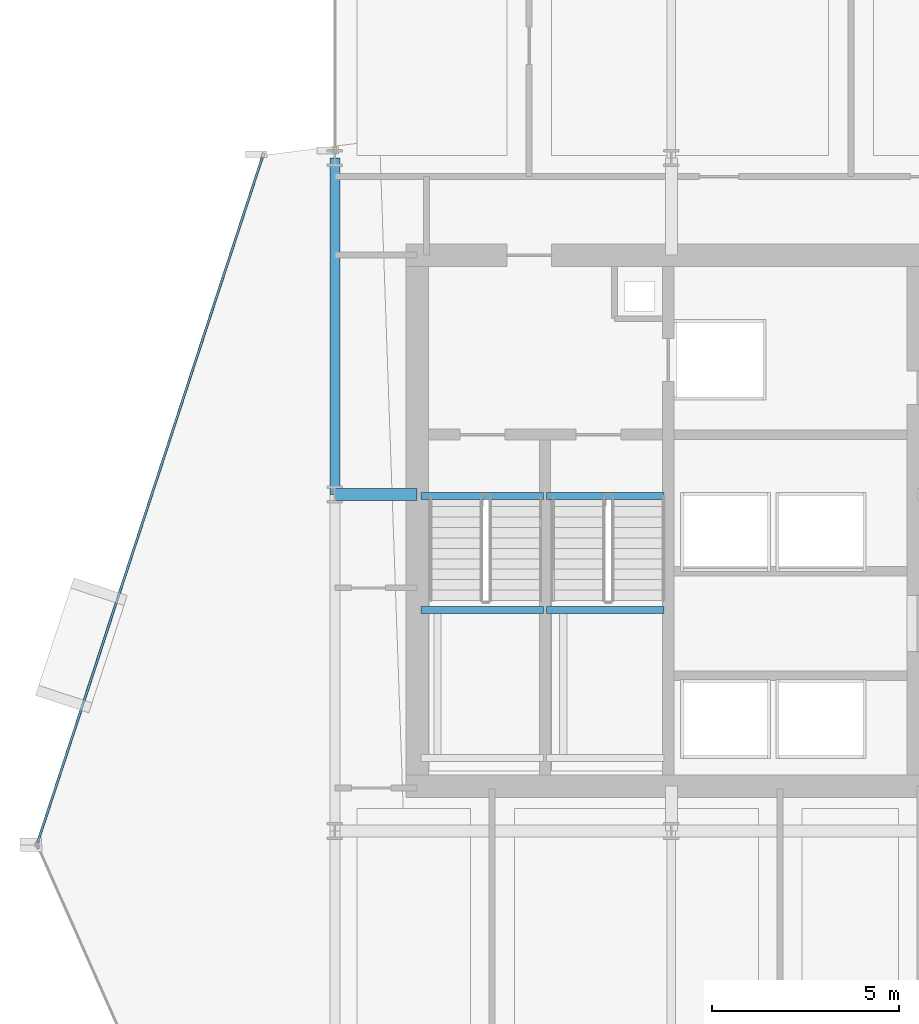
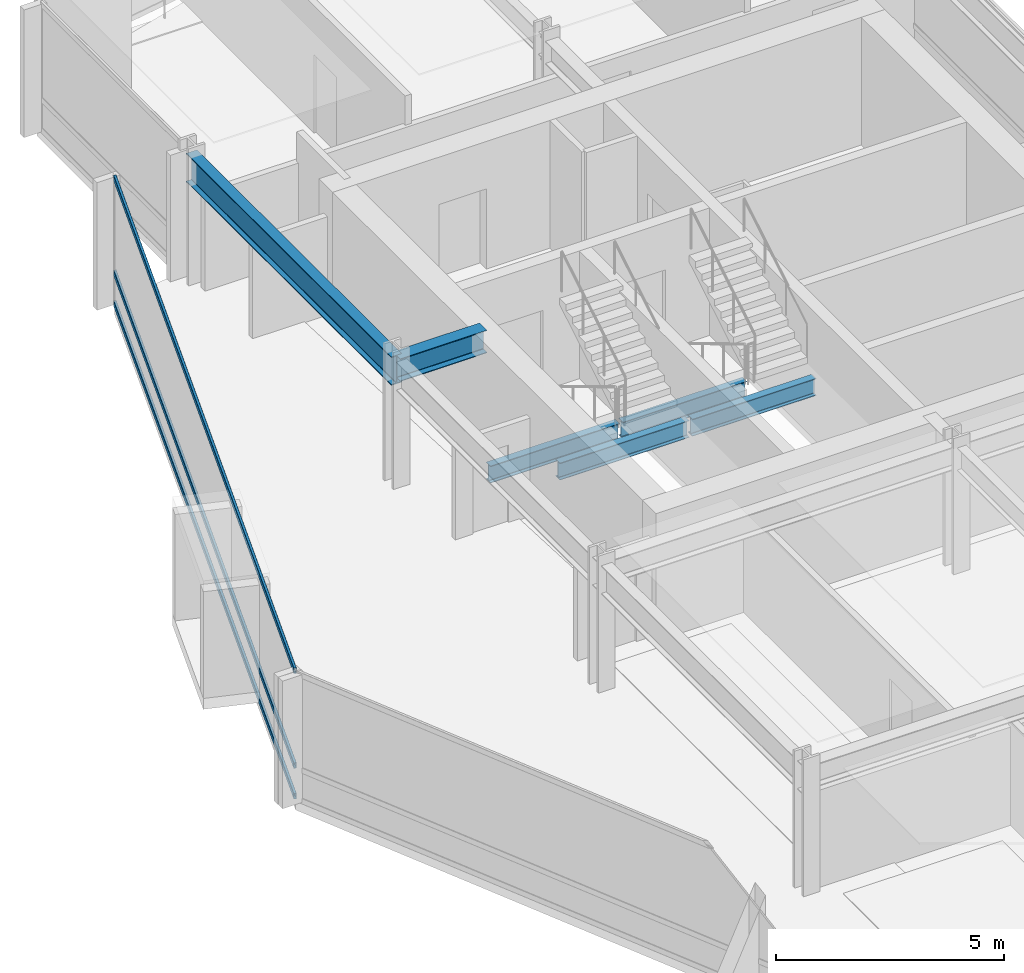
# One storey, part 15 of 29: 6 beams, 3 members, 1 element without a shape of its own.
"""IFC4 building model written with IfcOpenShell, lengths in metres."""

from ifc_helpers import new_model, si_unit, direction, frame, origin, origin_2d, place, context, subcontext, project, spatial, hollow_rectangle, i_section, extrude, material, layer, layer_set, material_profile, profile_set, type_object, element, aggregate, save


model = new_model("IFC4")

# Units and contexts
model_context = context("Model", 3, precision=1e-05, world=origin(), true_north=direction((0.0, 1.0)))
body_context = subcontext(model_context, "Body", "Model", "MODEL_VIEW")
ifc_project = project(units=[si_unit("LENGTHUNIT", "METRE"), si_unit("AREAUNIT", "SQUARE_METRE"), si_unit("VOLUMEUNIT", "CUBIC_METRE"), si_unit("PLANEANGLEUNIT", "RADIAN"), si_unit("MASSUNIT", "GRAM", prefix="KILO")], contexts=[model_context])

# Site, building, storey
site_placement = place(None, origin())
site = spatial("IfcSite", under=ifc_project, at=site_placement, CompositionType="ELEMENT")
building_placement = place(site_placement, origin())
building = spatial("IfcBuilding", under=site, at=building_placement, Name="Solvaryn Broadcast Tower", CompositionType="ELEMENT")
storey_placement = place(building_placement, frame((0.0, 0.0, 117.39990234375)))
storey = spatial("IfcBuildingStorey", under=building, at=storey_placement, Name="L28", CompositionType="ELEMENT", Elevation=117.39990234375)

# Beams
ifc_material_1 = material(Name="Steel ASTM A992 Grade 50", Category="steel")
ifc_material_profile_1 = material_profile(ifc_material_1, i_section(OverallWidth=0.323974609375, OverallDepth=0.611083984375, WebThickness=0.0126953125, FlangeThickness=0.01904296875, FilletRadius=0.014892578125, at=origin_2d()))
ifc_profile_set_1 = profile_set([ifc_material_profile_1], Name="Steel ASTM A992 Grade 50")
beam_type_1 = type_object("IfcBeamType", Name="BM-B1-W24X104", PredefinedType="BEAM", material=ifc_profile_set_1)
beam_1_placement = place(storey_placement, frame((9.0, 36.0, 3.114501953125), z_axis=(1.0, 0.0, 0.0), x_axis=(0.0, 1.0, 0.0)))
element("IfcBeam", 1, at=beam_1_placement, inside=storey, type_object=beam_type_1, Name="L28 Core Tie Beam CTW1", PredefinedType="BEAM", context=body_context, shape_type="SweptSolid", body=[
    extrude(i_section(OverallWidth=0.323974609375, OverallDepth=0.611083984375, WebThickness=0.0126953125, FlangeThickness=0.01904296875, FilletRadius=0.014892578125, at=origin_2d()), origin(), (0.0, 0.0, 1.0), 2.199951171875),
])
ifc_material_2 = material(Name="Steel ASTM A992 Grade 50", Category="steel")
ifc_material_profile_2 = material_profile(ifc_material_2, i_section(OverallWidth=0.18994140625, OverallDepth=0.45703125, WebThickness=0.009033203125, FlangeThickness=0.014404296875, FilletRadius=0.011962890625, at=origin_2d()))
ifc_profile_set_2 = profile_set([ifc_material_profile_2], Name="Steel ASTM A992 Grade 50")
beam_type_2 = type_object("IfcBeamType", Name="BM-B4-W18X50", PredefinedType="BEAM", material=ifc_profile_set_2)
for number, where, z_axis, x_axis, name in (
    (2, (11.300048828125, 35.9599609375, -0.50830078125), (1.0, 0.0, 0.0), (0.0, 1.0, 0.0), "L28 ST1 Stair Well Trimmer Beam"),
    (3, (11.300048828125, 32.909912109375, 1.421630859375), (1.0, 0.0, 0.0), (0.0, 1.0, 0.0), "L28 ST1 Landing Support Beam 1B"),
):
    element("IfcBeam", number, at=place(storey_placement, frame(where, z_axis=z_axis, x_axis=x_axis)), inside=storey, type_object=beam_type_2, Name=name, PredefinedType="BEAM", context=body_context, shape_type="SweptSolid", body=[
        extrude(i_section(OverallWidth=0.18994140625, OverallDepth=0.45703125, WebThickness=0.009033203125, FlangeThickness=0.014404296875, FilletRadius=0.011962890625, at=origin_2d()), origin(), (0.0, 0.0, 1.0), 3.280029296875),
    ])
for number, where, z_axis, x_axis, name in (
    (4, (14.659912109375, 35.9599609375, -0.50830078125), (1.0, 0.0, 0.0), (0.0, 1.0, 0.0), "L28 ST2 Stair Well Trimmer Beam"),
    (5, (14.659912109375, 32.909912109375, 1.421630859375), (1.0, 0.0, 0.0), (0.0, 1.0, 0.0), "L28 ST2 Landing Support Beam 1B"),
):
    element("IfcBeam", number, at=place(storey_placement, frame(where, z_axis=z_axis, x_axis=x_axis)), inside=storey, type_object=beam_type_2, Name=name, PredefinedType="BEAM", context=body_context, shape_type="SweptSolid", body=[
        extrude(i_section(OverallWidth=0.18994140625, OverallDepth=0.45703125, WebThickness=0.009033203125, FlangeThickness=0.014404296875, FilletRadius=0.011962890625, at=origin_2d()), origin(), (0.0, 0.0, 1.0), 3.14013671875),
    ])
ifc_material_3 = material(Name="Steel ASTM A992 Grade 50", Category="steel")
ifc_material_profile_3 = material_profile(ifc_material_3, i_section(OverallWidth=0.26708984375, OverallDepth=0.76611328125, WebThickness=0.014892578125, FlangeThickness=0.023681640625, FilletRadius=0.01806640625, at=origin_2d()))
ifc_profile_set_3 = profile_set([ifc_material_profile_3], Name="Steel ASTM A992 Grade 50")
beam_type_3 = type_object("IfcBeamType", Name="BM-SP2-W30X124", PredefinedType="USERDEFINED", material=ifc_profile_set_3)
beam_2_placement = place(storey_placement, frame((9.0, 36.0, 3.037109375), z_axis=(0.0, 1.0, 0.0), x_axis=(-1.0, 0.0, 0.0)))
element("IfcBeam", 6, at=beam_2_placement, inside=storey, type_object=beam_type_3, Name="L28 Spandrel Beam Y (36-45 @ X=9)", ObjectType="SPANDREL", PredefinedType="USERDEFINED", context=body_context, shape_type="SweptSolid", body=[
    extrude(i_section(OverallWidth=0.26708984375, OverallDepth=0.76611328125, WebThickness=0.014892578125, FlangeThickness=0.023681640625, FilletRadius=0.01806640625, at=origin_2d()), origin(), (0.0, 0.0, 1.0), 9.0),
])

# Curtain wall, members
ifc_material_4 = material(Name="Aluminium and Terracotta Unitised Curtain Wall", Category="masonry")
ifc_layer = layer(ifc_material_4, 0.199951171875)
ifc_layer_set = layer_set([ifc_layer], Name="CW-SYS2-LOWMID")
curtain_wall_type = type_object("IfcCurtainWallType", Name="CW-SYS2-LOWMID", PredefinedType="NOTDEFINED", material=ifc_layer_set)
curtain_wall_placement = place(storey_placement, origin())
curtain_wall = element("IfcCurtainWall", 7, at=curtain_wall_placement, inside=storey, type_object=curtain_wall_type, Name="L28 Curtain Wall DR1", PredefinedType="NOTDEFINED")
ifc_material_5 = material(Name="Anodised Aluminium 6063-T6", Category="aluminium")
ifc_material_profile_4 = material_profile(ifc_material_5, hollow_rectangle(XDim=0.06494140625, YDim=0.14990234375, WallThickness=0.00390625, InnerFilletRadius=0.00390625, OuterFilletRadius=0.008056640625, at=origin_2d()))
ifc_profile_set_4 = profile_set([ifc_material_profile_4], Name="Anodised Aluminium 6063-T6")
member_type = type_object("IfcMemberType", Name="CW-TRN-150", PredefinedType="USERDEFINED", material=ifc_profile_set_4)
member_1_placement = place(storey_placement, frame((7.060302734375, 45.010009765625, 0.030029296875), z_axis=(-0.31164571445, -0.950198373323, 0.0), x_axis=(0.950198373323, -0.31164571445, 0.0)))
member_1 = element("IfcMember", 8, at=member_1_placement, type_object=member_type, Name="CWS2 transom 1.1", ObjectType="TRANSOM", PredefinedType="USERDEFINED", context=body_context, shape_type="SweptSolid", body=[
    extrude(hollow_rectangle(XDim=0.06494140625, YDim=0.14990234375, WallThickness=0.00390625, InnerFilletRadius=0.00390625, OuterFilletRadius=0.008056640625, at=origin_2d()), origin(), (0.0, 0.0, 1.0), 19.27685546875),
])
member_2_placement = place(storey_placement, frame((7.060302734375, 45.010009765625, 0.85009765625), z_axis=(-0.31164571445, -0.950198373323, 0.0), x_axis=(0.950198373323, -0.31164571445, 0.0)))
member_2 = element("IfcMember", 9, at=member_2_placement, type_object=member_type, Name="CWS2 transom 1.2", ObjectType="TRANSOM", PredefinedType="USERDEFINED", context=body_context, shape_type="SweptSolid", body=[
    extrude(hollow_rectangle(XDim=0.06494140625, YDim=0.14990234375, WallThickness=0.00390625, InnerFilletRadius=0.00390625, OuterFilletRadius=0.008056640625, at=origin_2d()), origin(), (0.0, 0.0, 1.0), 19.27685546875),
])
member_3_placement = place(storey_placement, frame((7.060302734375, 45.010009765625, 3.39013671875), z_axis=(-0.31164571445, -0.950198373323, 0.0), x_axis=(0.950198373323, -0.31164571445, 0.0)))
member_3 = element("IfcMember", 10, at=member_3_placement, type_object=member_type, Name="CWS2 transom 1.3", ObjectType="TRANSOM", PredefinedType="USERDEFINED", context=body_context, shape_type="SweptSolid", body=[
    extrude(hollow_rectangle(XDim=0.06494140625, YDim=0.14990234375, WallThickness=0.00390625, InnerFilletRadius=0.00390625, OuterFilletRadius=0.008056640625, at=origin_2d()), origin(), (0.0, 0.0, 1.0), 19.27685546875),
])
aggregate(curtain_wall, [member_1, member_2, member_3])

save(model, "model.ifc")
